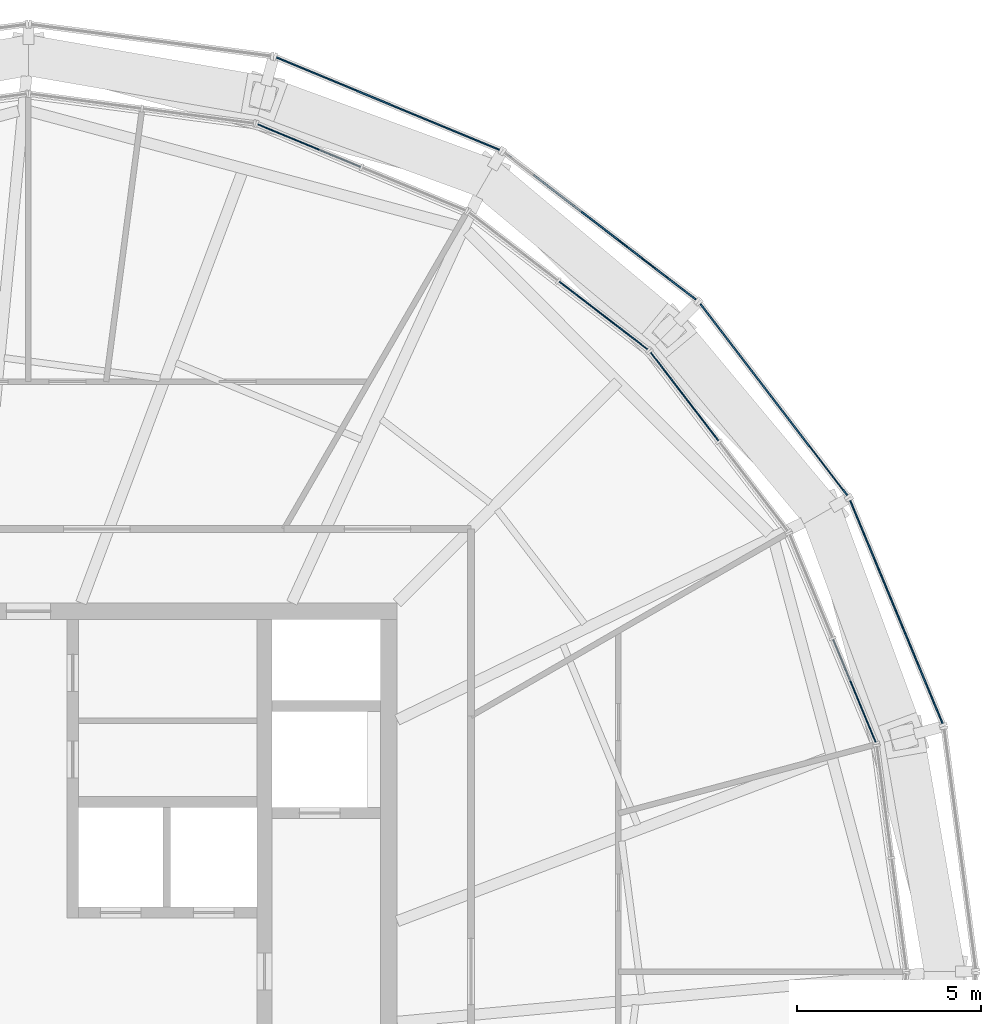
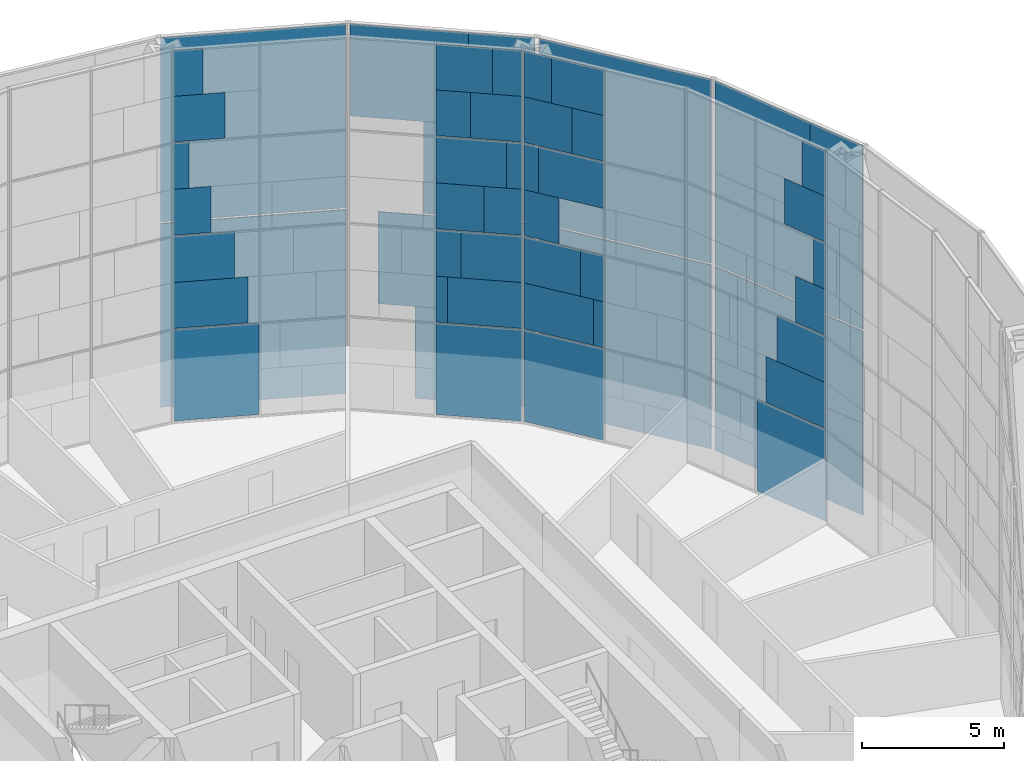
# One storey, part 24 of 28: 60 plates, 8 elements without a shape of their own.
"""IFC4 building model written with IfcOpenShell, lengths in metres."""

from ifc_helpers import new_model, si_unit, direction, frame, origin, origin_2d, place, context, subcontext, project, spatial, rectangle, extrude, material, layer, layer_set, type_object, element, aggregate, save


model = new_model("IFC4")

# Units and contexts
model_context = context("Model", 3, precision=1e-05, world=origin(), true_north=direction((0.0, 1.0)))
body_context = subcontext(model_context, "Body", "Model", "MODEL_VIEW")
ifc_project = project(units=[si_unit("LENGTHUNIT", "METRE"), si_unit("AREAUNIT", "SQUARE_METRE"), si_unit("VOLUMEUNIT", "CUBIC_METRE"), si_unit("PLANEANGLEUNIT", "RADIAN"), si_unit("MASSUNIT", "GRAM", prefix="KILO")], contexts=[model_context])

# Site, building, storey
site_placement = place(None, origin())
site = spatial("IfcSite", under=ifc_project, at=site_placement, CompositionType="ELEMENT")
building_placement = place(site_placement, origin())
building = spatial("IfcBuilding", under=site, at=building_placement, Name="Golbaran Civic Tower", CompositionType="ELEMENT")
storey_placement = place(building_placement, frame((0.0, 0.0, 183.0)))
storey = spatial("IfcBuildingStorey", under=building, at=storey_placement, Name="L44", CompositionType="ELEMENT", Elevation=183.0)

# Curtain wall, plates
ifc_material_1 = material(Name="Aluminium and glass", Category="aluminium")
curtain_wall_type_1 = type_object("IfcCurtainWallType", Name="INNER SKIN CURTAIN WALL EXECUTIVE", PredefinedType="NOTDEFINED", material=ifc_material_1)
curtain_wall_1_placement = place(storey_placement, origin())
curtain_wall_1 = element("IfcCurtainWall", 1, at=curtain_wall_1_placement, inside=storey, type_object=curtain_wall_type_1, Name="Inner skin L44 facet 2 CW2", ObjectType="INNER SKIN", PredefinedType="USERDEFINED")
ifc_material_2 = material(Name="Clear insulating glass", Category="glass")
ifc_layer_1 = layer(ifc_material_2, 0.031982421875, Name="Clear insulating glass")
ifc_layer_set_1 = layer_set([ifc_layer_1], Name="Clear insulating glass")
plate_type_1 = type_object("IfcPlateType", Name="INNER SKIN CURTAIN WALL EXECUTIVE GLAZED PANEL", PredefinedType="CURTAIN_PANEL", material=ifc_layer_set_1)
plate_1_placement = place(storey_placement, frame((22.400146484375, 7.612548828125, 0.06005859375), z_axis=(0.0, 0.0, 1.0), x_axis=(-0.382683432413, 0.923879532491, 0.0)))
plate_1 = element("IfcPlate", 2, at=plate_1_placement, type_object=plate_type_1, Name="CW2 panel 1.1", PredefinedType="CURTAIN_PANEL", context=body_context, shape_type="SweptSolid", body=[
    extrude(rectangle(XDim=3.01806640625, YDim=0.031982421875, at=origin_2d()), origin(), (0.0, 0.0, 1.0), 3.909912109375),
])
plate_2_placement = place(storey_placement, frame((22.476806640625, 7.42724609375, 4.02978515625), z_axis=(0.0, 0.0, 1.0), x_axis=(-0.382683432413, 0.923879532491, 0.0)))
plate_2 = element("IfcPlate", 3, at=plate_2_placement, type_object=plate_type_1, Name="CW2 panel 1.2 part 1", PredefinedType="CURTAIN_PANEL", context=body_context, shape_type="SweptSolid", body=[
    extrude(rectangle(XDim=2.616943359375, YDim=0.031982421875, at=origin_2d()), origin(), (0.0, 0.0, 1.0), 1.969970703125),
])
plate_3_placement = place(storey_placement, frame((22.56884765625, 7.205078125, 6.0), z_axis=(0.0, 0.0, 1.0), x_axis=(-0.382683432413, 0.923879532491, 0.0)))
plate_3 = element("IfcPlate", 4, at=plate_3_placement, type_object=plate_type_1, Name="CW2 panel 1.2 part 3", PredefinedType="CURTAIN_PANEL", context=body_context, shape_type="SweptSolid", body=[
    extrude(rectangle(XDim=2.135986328125, YDim=0.031982421875, at=origin_2d()), origin(), (0.0, 0.0, 1.0), 1.969970703125),
])
plate_4_placement = place(storey_placement, frame((22.7255859375, 6.826904296875, 8.02978515625), z_axis=(0.0, 0.0, 1.0), x_axis=(-0.382683432413, 0.923879532491, 0.0)))
plate_4 = element("IfcPlate", 5, at=plate_4_placement, type_object=plate_type_1, Name="CW2 panel 1.3 part 1", PredefinedType="CURTAIN_PANEL", context=body_context, shape_type="SweptSolid", body=[
    extrude(rectangle(XDim=1.31689453125, YDim=0.031982421875, at=origin_2d()), origin(), (0.0, 0.0, 1.0), 1.969970703125),
])
plate_5_placement = place(storey_placement, frame((22.877685546875, 6.4599609375, 10.0), z_axis=(0.0, 0.0, 1.0), x_axis=(-0.382683432413, 0.923879532491, 0.0)))
plate_5 = element("IfcPlate", 6, at=plate_5_placement, type_object=plate_type_1, Name="CW2 panel 1.3 part 3", PredefinedType="CURTAIN_PANEL", context=body_context, shape_type="SweptSolid", body=[
    extrude(rectangle(XDim=0.52294921875, YDim=0.031982421875, at=origin_2d()), origin(), (0.0, 0.0, 1.0), 1.969970703125),
])

curtain_wall_2_placement = place(storey_placement, origin())
curtain_wall_2 = element("IfcCurtainWall", 7, at=curtain_wall_2_placement, inside=storey, type_object=curtain_wall_type_1, Name="Inner skin L44 facet 3 CW2", ObjectType="INNER SKIN", PredefinedType="USERDEFINED")
plate_6_placement = place(storey_placement, frame((17.792724609375, 15.5927734375, 0.06005859375), z_axis=(0.0, 0.0, 1.0), x_axis=(-0.608761428953, 0.793353340334, 0.0)))
plate_6 = element("IfcPlate", 8, at=plate_6_placement, type_object=plate_type_1, Name="CW2 panel 2.1", PredefinedType="CURTAIN_PANEL", context=body_context, shape_type="SweptSolid", body=[
    extrude(rectangle(XDim=3.01806640625, YDim=0.031982421875, at=origin_2d()), origin(), (0.0, 0.0, 1.0), 3.909912109375),
])
plate_7_placement = place(storey_placement, frame((17.671142578125, 15.75146484375, 4.02978515625), z_axis=(0.0, 0.0, 1.0), x_axis=(-0.608761428953, 0.793353340334, 0.0)))
plate_7 = element("IfcPlate", 9, at=plate_7_placement, type_object=plate_type_1, Name="CW2 panel 2.2 part 2", PredefinedType="CURTAIN_PANEL", context=body_context, shape_type="SweptSolid", body=[
    extrude(rectangle(XDim=2.6181640625, YDim=0.031982421875, at=origin_2d()), origin(), (0.0, 0.0, 1.0), 1.969970703125),
])
plate_8_placement = place(storey_placement, frame((17.5244140625, 15.942626953125, 6.0), z_axis=(0.0, 0.0, 1.0), x_axis=(-0.608761428953, 0.793353340334, 0.0)))
plate_8 = element("IfcPlate", 10, at=plate_8_placement, type_object=plate_type_1, Name="CW2 panel 2.2 part 4", PredefinedType="CURTAIN_PANEL", context=body_context, shape_type="SweptSolid", body=[
    extrude(rectangle(XDim=2.135986328125, YDim=0.031982421875, at=origin_2d()), origin(), (0.0, 0.0, 1.0), 1.969970703125),
])
plate_9_placement = place(storey_placement, frame((17.275146484375, 16.267578125, 8.02978515625), z_axis=(0.0, 0.0, 1.0), x_axis=(-0.608761428953, 0.793353340334, 0.0)))
plate_9 = element("IfcPlate", 11, at=plate_9_placement, type_object=plate_type_1, Name="CW2 panel 2.3 part 2", PredefinedType="CURTAIN_PANEL", context=body_context, shape_type="SweptSolid", body=[
    extrude(rectangle(XDim=1.317138671875, YDim=0.031982421875, at=origin_2d()), origin(), (0.0, 0.0, 1.0), 1.969970703125),
])
plate_10_placement = place(storey_placement, frame((17.033447265625, 16.58251953125, 10.0), z_axis=(0.0, 0.0, 1.0), x_axis=(-0.608761428953, 0.793353340334, 0.0)))
plate_10 = element("IfcPlate", 12, at=plate_10_placement, type_object=plate_type_1, Name="CW2 panel 2.3 part 4", PredefinedType="CURTAIN_PANEL", context=body_context, shape_type="SweptSolid", body=[
    extrude(rectangle(XDim=0.523193359375, YDim=0.031982421875, at=origin_2d()), origin(), (0.0, 0.0, 1.0), 1.969970703125),
])
plate_11_placement = place(storey_placement, frame((18.34375, 14.874755859375, 12.030029296875), z_axis=(0.0, 0.0, 1.0), x_axis=(-0.608761428953, 0.793353340334, 0.0)))
plate_11 = element("IfcPlate", 13, at=plate_11_placement, type_object=plate_type_1, Name="CW2 panel 2.4 part 1", PredefinedType="CURTAIN_PANEL", context=body_context, shape_type="SweptSolid", body=[
    extrude(rectangle(XDim=1.2080078125, YDim=0.031982421875, at=origin_2d()), origin(), (0.0, 0.0, 1.0), 1.955078125),
])
plate_12_placement = place(storey_placement, frame((18.10400390625, 15.1875, 13.98486328125), z_axis=(0.0, 0.0, 1.0), x_axis=(-0.608761428953, 0.793353340334, 0.0)))
plate_12 = element("IfcPlate", 14, at=plate_12_placement, type_object=plate_type_1, Name="CW2 panel 2.4 part 3", PredefinedType="CURTAIN_PANEL", context=body_context, shape_type="SweptSolid", body=[
    extrude(rectangle(XDim=1.99609375, YDim=0.031982421875, at=origin_2d()), origin(), (0.0, 0.0, 1.0), 1.955078125),
])

curtain_wall_3_placement = place(storey_placement, origin())
curtain_wall_3 = element("IfcCurtainWall", 15, at=curtain_wall_3_placement, inside=storey, type_object=curtain_wall_type_1, Name="Inner skin L44 facet 4 CW2", ObjectType="INNER SKIN", PredefinedType="USERDEFINED")
plate_13_placement = place(storey_placement, frame((15.5927734375, 17.792724609375, 0.06005859375), z_axis=(0.0, 0.0, 1.0), x_axis=(-0.793353340334, 0.608761428953, 0.0)))
plate_13 = element("IfcPlate", 16, at=plate_13_placement, type_object=plate_type_1, Name="CW2 panel 1.1", PredefinedType="CURTAIN_PANEL", context=body_context, shape_type="SweptSolid", body=[
    extrude(rectangle(XDim=3.01806640625, YDim=0.031982421875, at=origin_2d()), origin(), (0.0, 0.0, 1.0), 3.909912109375),
])
plate_14_placement = place(storey_placement, frame((15.751953125, 17.670654296875, 4.02978515625), z_axis=(0.0, 0.0, 1.0), x_axis=(-0.793353340334, 0.608761428953, 0.0)))
plate_14 = element("IfcPlate", 17, at=plate_14_placement, type_object=plate_type_1, Name="CW2 panel 1.2 part 1", PredefinedType="CURTAIN_PANEL", context=body_context, shape_type="SweptSolid", body=[
    extrude(rectangle(XDim=2.616943359375, YDim=0.031982421875, at=origin_2d()), origin(), (0.0, 0.0, 1.0), 1.969970703125),
])
plate_15_placement = place(storey_placement, frame((15.942626953125, 17.5244140625, 6.0), z_axis=(0.0, 0.0, 1.0), x_axis=(-0.793353340334, 0.608761428953, 0.0)))
plate_15 = element("IfcPlate", 18, at=plate_15_placement, type_object=plate_type_1, Name="CW2 panel 1.2 part 3", PredefinedType="CURTAIN_PANEL", context=body_context, shape_type="SweptSolid", body=[
    extrude(rectangle(XDim=2.135986328125, YDim=0.031982421875, at=origin_2d()), origin(), (0.0, 0.0, 1.0), 1.969970703125),
])
plate_16_placement = place(storey_placement, frame((16.267578125, 17.27490234375, 8.02978515625), z_axis=(0.0, 0.0, 1.0), x_axis=(-0.793353340334, 0.608761428953, 0.0)))
plate_16 = element("IfcPlate", 19, at=plate_16_placement, type_object=plate_type_1, Name="CW2 panel 1.3 part 1", PredefinedType="CURTAIN_PANEL", context=body_context, shape_type="SweptSolid", body=[
    extrude(rectangle(XDim=1.31689453125, YDim=0.031982421875, at=origin_2d()), origin(), (0.0, 0.0, 1.0), 1.969970703125),
])
plate_17_placement = place(storey_placement, frame((16.58251953125, 17.033447265625, 10.0), z_axis=(0.0, 0.0, 1.0), x_axis=(-0.793353340334, 0.608761428953, 0.0)))
plate_17 = element("IfcPlate", 20, at=plate_17_placement, type_object=plate_type_1, Name="CW2 panel 1.3 part 3", PredefinedType="CURTAIN_PANEL", context=body_context, shape_type="SweptSolid", body=[
    extrude(rectangle(XDim=0.52294921875, YDim=0.031982421875, at=origin_2d()), origin(), (0.0, 0.0, 1.0), 1.969970703125),
])
plate_18_placement = place(storey_placement, frame((14.874755859375, 18.34375, 12.030029296875), z_axis=(0.0, 0.0, 1.0), x_axis=(-0.793353340334, 0.608761428953, 0.0)))
plate_18 = element("IfcPlate", 21, at=plate_18_placement, type_object=plate_type_1, Name="CW2 panel 1.4 part 2", PredefinedType="CURTAIN_PANEL", context=body_context, shape_type="SweptSolid", body=[
    extrude(rectangle(XDim=1.2080078125, YDim=0.031982421875, at=origin_2d()), origin(), (0.0, 0.0, 1.0), 1.955078125),
])
plate_19_placement = place(storey_placement, frame((15.1875, 18.103759765625, 13.98486328125), z_axis=(0.0, 0.0, 1.0), x_axis=(-0.793353340334, 0.608761428953, 0.0)))
plate_19 = element("IfcPlate", 22, at=plate_19_placement, type_object=plate_type_1, Name="CW2 panel 1.4 part 4", PredefinedType="CURTAIN_PANEL", context=body_context, shape_type="SweptSolid", body=[
    extrude(rectangle(XDim=1.99609375, YDim=0.031982421875, at=origin_2d()), origin(), (0.0, 0.0, 1.0), 1.955078125),
])

curtain_wall_4_placement = place(storey_placement, origin())
curtain_wall_4 = element("IfcCurtainWall", 23, at=curtain_wall_4_placement, inside=storey, type_object=curtain_wall_type_1, Name="Inner skin L44 facet 5 CW2", ObjectType="INNER SKIN", PredefinedType="USERDEFINED")
plate_20_placement = place(storey_placement, frame((7.612548828125, 22.400146484375, 0.06005859375), z_axis=(0.0, 0.0, 1.0), x_axis=(-0.923879532491, 0.382683432413, 0.0)))
plate_20 = element("IfcPlate", 24, at=plate_20_placement, type_object=plate_type_1, Name="CW2 panel 2.1", PredefinedType="CURTAIN_PANEL", context=body_context, shape_type="SweptSolid", body=[
    extrude(rectangle(XDim=3.01806640625, YDim=0.031982421875, at=origin_2d()), origin(), (0.0, 0.0, 1.0), 3.909912109375),
])
plate_21_placement = place(storey_placement, frame((7.427734375, 22.476806640625, 4.02978515625), z_axis=(0.0, 0.0, 1.0), x_axis=(-0.923879532491, 0.382683432413, 0.0)))
plate_21 = element("IfcPlate", 25, at=plate_21_placement, type_object=plate_type_1, Name="CW2 panel 2.2 part 2", PredefinedType="CURTAIN_PANEL", context=body_context, shape_type="SweptSolid", body=[
    extrude(rectangle(XDim=2.6181640625, YDim=0.031982421875, at=origin_2d()), origin(), (0.0, 0.0, 1.0), 1.969970703125),
])
plate_22_placement = place(storey_placement, frame((7.205078125, 22.56884765625, 6.0), z_axis=(0.0, 0.0, 1.0), x_axis=(-0.923879532491, 0.382683432413, 0.0)))
plate_22 = element("IfcPlate", 26, at=plate_22_placement, type_object=plate_type_1, Name="CW2 panel 2.2 part 4", PredefinedType="CURTAIN_PANEL", context=body_context, shape_type="SweptSolid", body=[
    extrude(rectangle(XDim=2.135986328125, YDim=0.031982421875, at=origin_2d()), origin(), (0.0, 0.0, 1.0), 1.969970703125),
])
plate_23_placement = place(storey_placement, frame((6.826904296875, 22.7255859375, 8.02978515625), z_axis=(0.0, 0.0, 1.0), x_axis=(-0.923879532491, 0.382683432413, 0.0)))
plate_23 = element("IfcPlate", 27, at=plate_23_placement, type_object=plate_type_1, Name="CW2 panel 2.3 part 2", PredefinedType="CURTAIN_PANEL", context=body_context, shape_type="SweptSolid", body=[
    extrude(rectangle(XDim=1.317138671875, YDim=0.031982421875, at=origin_2d()), origin(), (0.0, 0.0, 1.0), 1.969970703125),
])
plate_24_placement = place(storey_placement, frame((6.4599609375, 22.877685546875, 10.0), z_axis=(0.0, 0.0, 1.0), x_axis=(-0.923879532491, 0.382683432413, 0.0)))
plate_24 = element("IfcPlate", 28, at=plate_24_placement, type_object=plate_type_1, Name="CW2 panel 2.3 part 4", PredefinedType="CURTAIN_PANEL", context=body_context, shape_type="SweptSolid", body=[
    extrude(rectangle(XDim=0.523193359375, YDim=0.031982421875, at=origin_2d()), origin(), (0.0, 0.0, 1.0), 1.969970703125),
])

# Plate
ifc_material_3 = material(Name="Aluminium faced opaque infill panel", Category="aluminium")
ifc_layer_2 = layer(ifc_material_3, 0.031982421875, Name="Aluminium faced opaque infill panel")
ifc_layer_set_2 = layer_set([ifc_layer_2], Name="Aluminium faced opaque infill panel")
plate_type_2 = type_object("IfcPlateType", Name="INNER SKIN CURTAIN WALL EXECUTIVE OPAQUE INFILL PANEL", PredefinedType="CURTAIN_PANEL", material=ifc_layer_set_2)
plate_25_placement = place(storey_placement, frame((22.63134765625, 7.054443359375, 12.030029296875), z_axis=(0.0, 0.0, 1.0), x_axis=(-0.382683432413, 0.923879532491, 0.0)))
plate_25 = element("IfcPlate", 29, at=plate_25_placement, type_object=plate_type_2, Name="CW2 infill panel 1.4 part 1", PredefinedType="CURTAIN_PANEL", context=body_context, shape_type="SweptSolid", body=[
    extrude(rectangle(XDim=1.81005859375, YDim=0.031982421875, at=origin_2d()), origin(), (0.0, 0.0, 1.0), 1.955078125),
])

plate_26_placement = place(storey_placement, frame((22.7822265625, 6.6904296875, 13.98486328125), z_axis=(0.0, 0.0, 1.0), x_axis=(-0.382683432413, 0.923879532491, 0.0)))
plate_26 = element("IfcPlate", 30, at=plate_26_placement, type_object=plate_type_2, Name="CW2 infill panel 1.4 part 3", PredefinedType="CURTAIN_PANEL", context=body_context, shape_type="SweptSolid", body=[
    extrude(rectangle(XDim=1.02197265625, YDim=0.031982421875, at=origin_2d()), origin(), (0.0, 0.0, 1.0), 1.955078125),
])

aggregate(curtain_wall_1, [plate_1, plate_2, plate_3, plate_4, plate_5, plate_25, plate_26])

plate_27_placement = place(storey_placement, frame((18.589599609375, 14.55419921875, 4.02978515625), z_axis=(0.0, 0.0, 1.0), x_axis=(-0.608761428953, 0.793353340334, 0.0)))
plate_27 = element("IfcPlate", 31, at=plate_27_placement, type_object=plate_type_2, Name="CW2 infill panel 2.2 part 1", PredefinedType="CURTAIN_PANEL", context=body_context, shape_type="SweptSolid", body=[
    extrude(rectangle(XDim=0.39990234375, YDim=0.031982421875, at=origin_2d()), origin(), (0.0, 0.0, 1.0), 1.969970703125),
])

plate_28_placement = place(storey_placement, frame((18.44287109375, 14.745361328125, 6.0), z_axis=(0.0, 0.0, 1.0), x_axis=(-0.608761428953, 0.793353340334, 0.0)))
plate_28 = element("IfcPlate", 32, at=plate_28_placement, type_object=plate_type_2, Name="CW2 infill panel 2.2 part 3", PredefinedType="CURTAIN_PANEL", context=body_context, shape_type="SweptSolid", body=[
    extrude(rectangle(XDim=0.882080078125, YDim=0.031982421875, at=origin_2d()), origin(), (0.0, 0.0, 1.0), 1.969970703125),
])

plate_29_placement = place(storey_placement, frame((17.951904296875, 15.38525390625, 10.0), z_axis=(0.0, 0.0, 1.0), x_axis=(-0.608761428953, 0.793353340334, 0.0)))
plate_29 = element("IfcPlate", 33, at=plate_29_placement, type_object=plate_type_2, Name="CW2 infill panel 2.3 part 3", PredefinedType="CURTAIN_PANEL", context=body_context, shape_type="SweptSolid", body=[
    extrude(rectangle(XDim=2.4951171875, YDim=0.031982421875, at=origin_2d()), origin(), (0.0, 0.0, 1.0), 1.969970703125),
])

plate_30_placement = place(storey_placement, frame((17.425048828125, 16.072021484375, 12.030029296875), z_axis=(0.0, 0.0, 1.0), x_axis=(-0.608761428953, 0.793353340334, 0.0)))
plate_30 = element("IfcPlate", 34, at=plate_30_placement, type_object=plate_type_2, Name="CW2 infill panel 2.4 part 2", PredefinedType="CURTAIN_PANEL", context=body_context, shape_type="SweptSolid", body=[
    extrude(rectangle(XDim=1.81005859375, YDim=0.031982421875, at=origin_2d()), origin(), (0.0, 0.0, 1.0), 1.955078125),
])

plate_31_placement = place(storey_placement, frame((17.185302734375, 16.384521484375, 13.98486328125), z_axis=(0.0, 0.0, 1.0), x_axis=(-0.608761428953, 0.793353340334, 0.0)))
plate_31 = element("IfcPlate", 35, at=plate_31_placement, type_object=plate_type_2, Name="CW2 infill panel 2.4 part 4", PredefinedType="CURTAIN_PANEL", context=body_context, shape_type="SweptSolid", body=[
    extrude(rectangle(XDim=1.02197265625, YDim=0.031982421875, at=origin_2d()), origin(), (0.0, 0.0, 1.0), 1.955078125),
])

aggregate(curtain_wall_2, [plate_6, plate_27, plate_7, plate_28, plate_8, plate_9, plate_29, plate_10, plate_11, plate_30, plate_12, plate_31])

plate_32_placement = place(storey_placement, frame((14.5546875, 18.58935546875, 4.02978515625), z_axis=(0.0, 0.0, 1.0), x_axis=(-0.793353340334, 0.608761428953, 0.0)))
plate_32 = element("IfcPlate", 36, at=plate_32_placement, type_object=plate_type_2, Name="CW2 infill panel 1.2 part 2", PredefinedType="CURTAIN_PANEL", context=body_context, shape_type="SweptSolid", body=[
    extrude(rectangle(XDim=0.401123046875, YDim=0.031982421875, at=origin_2d()), origin(), (0.0, 0.0, 1.0), 1.969970703125),
])

plate_33_placement = place(storey_placement, frame((14.74560546875, 18.44287109375, 6.0), z_axis=(0.0, 0.0, 1.0), x_axis=(-0.793353340334, 0.608761428953, 0.0)))
plate_33 = element("IfcPlate", 37, at=plate_33_placement, type_object=plate_type_2, Name="CW2 infill panel 1.2 part 4", PredefinedType="CURTAIN_PANEL", context=body_context, shape_type="SweptSolid", body=[
    extrude(rectangle(XDim=0.882080078125, YDim=0.031982421875, at=origin_2d()), origin(), (0.0, 0.0, 1.0), 1.969970703125),
])

plate_34_placement = place(storey_placement, frame((15.0703125, 18.193603515625, 8.02978515625), z_axis=(0.0, 0.0, 1.0), x_axis=(-0.793353340334, 0.608761428953, 0.0)))
plate_34 = element("IfcPlate", 38, at=plate_34_placement, type_object=plate_type_2, Name="CW2 infill panel 1.3 part 2", PredefinedType="CURTAIN_PANEL", context=body_context, shape_type="SweptSolid", body=[
    extrude(rectangle(XDim=1.701171875, YDim=0.031982421875, at=origin_2d()), origin(), (0.0, 0.0, 1.0), 1.969970703125),
])

plate_35_placement = place(storey_placement, frame((15.38525390625, 17.951904296875, 10.0), z_axis=(0.0, 0.0, 1.0), x_axis=(-0.793353340334, 0.608761428953, 0.0)))
plate_35 = element("IfcPlate", 39, at=plate_35_placement, type_object=plate_type_2, Name="CW2 infill panel 1.3 part 4", PredefinedType="CURTAIN_PANEL", context=body_context, shape_type="SweptSolid", body=[
    extrude(rectangle(XDim=2.4951171875, YDim=0.031982421875, at=origin_2d()), origin(), (0.0, 0.0, 1.0), 1.969970703125),
])

plate_36_placement = place(storey_placement, frame((16.072021484375, 17.425048828125, 12.030029296875), z_axis=(0.0, 0.0, 1.0), x_axis=(-0.793353340334, 0.608761428953, 0.0)))
plate_36 = element("IfcPlate", 40, at=plate_36_placement, type_object=plate_type_2, Name="CW2 infill panel 1.4 part 1", PredefinedType="CURTAIN_PANEL", context=body_context, shape_type="SweptSolid", body=[
    extrude(rectangle(XDim=1.81005859375, YDim=0.031982421875, at=origin_2d()), origin(), (0.0, 0.0, 1.0), 1.955078125),
])

plate_37_placement = place(storey_placement, frame((16.384521484375, 17.185302734375, 13.98486328125), z_axis=(0.0, 0.0, 1.0), x_axis=(-0.793353340334, 0.608761428953, 0.0)))
plate_37 = element("IfcPlate", 41, at=plate_37_placement, type_object=plate_type_2, Name="CW2 infill panel 1.4 part 3", PredefinedType="CURTAIN_PANEL", context=body_context, shape_type="SweptSolid", body=[
    extrude(rectangle(XDim=1.02197265625, YDim=0.031982421875, at=origin_2d()), origin(), (0.0, 0.0, 1.0), 1.955078125),
])

aggregate(curtain_wall_3, [plate_13, plate_14, plate_32, plate_15, plate_33, plate_16, plate_34, plate_17, plate_35, plate_36, plate_18, plate_37, plate_19])

plate_38_placement = place(storey_placement, frame((7.0546875, 22.63134765625, 12.030029296875), z_axis=(0.0, 0.0, 1.0), x_axis=(-0.923879532491, 0.382683432413, 0.0)))
plate_38 = element("IfcPlate", 42, at=plate_38_placement, type_object=plate_type_2, Name="CW2 infill panel 2.4 part 2", PredefinedType="CURTAIN_PANEL", context=body_context, shape_type="SweptSolid", body=[
    extrude(rectangle(XDim=1.81005859375, YDim=0.031982421875, at=origin_2d()), origin(), (0.0, 0.0, 1.0), 1.955078125),
])

plate_39_placement = place(storey_placement, frame((6.690673828125, 22.781982421875, 13.98486328125), z_axis=(0.0, 0.0, 1.0), x_axis=(-0.923879532491, 0.382683432413, 0.0)))
plate_39 = element("IfcPlate", 43, at=plate_39_placement, type_object=plate_type_2, Name="CW2 infill panel 2.4 part 4", PredefinedType="CURTAIN_PANEL", context=body_context, shape_type="SweptSolid", body=[
    extrude(rectangle(XDim=1.02197265625, YDim=0.031982421875, at=origin_2d()), origin(), (0.0, 0.0, 1.0), 1.955078125),
])

aggregate(curtain_wall_4, [plate_20, plate_21, plate_22, plate_23, plate_24, plate_38, plate_39])

# Curtain wall, plates
curtain_wall_type_2 = type_object("IfcCurtainWallType", Name="OUTER SKIN TERRACOTTA SCREEN", PredefinedType="NOTDEFINED", material=ifc_material_1)
curtain_wall_5_placement = place(storey_placement, origin())
curtain_wall_5 = element("IfcCurtainWall", 44, at=curtain_wall_5_placement, inside=storey, type_object=curtain_wall_type_2, Name="Outer skin L44 facet 2 CW3", ObjectType="OUTER SKIN", PredefinedType="USERDEFINED")
ifc_material_4 = material(Name="Clear laminated glass", Category="glass")
ifc_layer_3 = layer(ifc_material_4, 0.0400390625, Name="Clear laminated glass")
ifc_layer_set_3 = layer_set([ifc_layer_3], Name="Clear laminated glass")
plate_type_3 = type_object("IfcPlateType", Name="OUTER SKIN CLEAR GLASS PANEL", PredefinedType="CURTAIN_PANEL", material=ifc_layer_set_3)
plate_40_placement = place(storey_placement, frame((23.979248046875, 8.683837890625, -0.6298828125), z_axis=(0.0, 0.0, 1.0), x_axis=(-0.382683432349, 0.923879532518, 0.0)))
plate_40 = element("IfcPlate", 45, at=plate_40_placement, type_object=plate_type_3, Name="CW3 panel 1.1 part 1", PredefinedType="CURTAIN_PANEL", context=body_context, shape_type="SweptSolid", body=[
    extrude(rectangle(XDim=4.240966796875, YDim=0.0400390625, at=origin_2d()), origin(), (0.0, 0.0, 1.0), 3.93994140625),
])
plate_41_placement = place(storey_placement, frame((24.283447265625, 7.949951171875, 3.31005859375), z_axis=(0.0, 0.0, 1.0), x_axis=(-0.382683432349, 0.923879532518, 0.0)))
plate_41 = element("IfcPlate", 46, at=plate_41_placement, type_object=plate_type_3, Name="CW3 panel 1.1 part 3", PredefinedType="CURTAIN_PANEL", context=body_context, shape_type="SweptSolid", body=[
    extrude(rectangle(XDim=2.652099609375, YDim=0.0400390625, at=origin_2d()), origin(), (0.0, 0.0, 1.0), 3.93994140625),
])
plate_42_placement = place(storey_placement, frame((22.4755859375, 12.314453125, 3.31005859375), z_axis=(0.0, 0.0, 1.0), x_axis=(-0.382683432349, 0.923879532518, 0.0)))
plate_42 = element("IfcPlate", 47, at=plate_42_placement, type_object=plate_type_3, Name="CW3 panel 1.1 part 5", PredefinedType="CURTAIN_PANEL", context=body_context, shape_type="SweptSolid", body=[
    extrude(rectangle(XDim=0.996337890625, YDim=0.0400390625, at=origin_2d()), origin(), (0.0, 0.0, 1.0), 3.93994140625),
])
plate_43_placement = place(storey_placement, frame((24.593505859375, 7.200927734375, 7.330078125), z_axis=(0.0, 0.0, 1.0), x_axis=(-0.382683432349, 0.923879532518, 0.0)))
plate_43 = element("IfcPlate", 48, at=plate_43_placement, type_object=plate_type_3, Name="CW3 panel 1.2 part 1", PredefinedType="CURTAIN_PANEL", context=body_context, shape_type="SweptSolid", body=[
    extrude(rectangle(XDim=1.031005859375, YDim=0.0400390625, at=origin_2d()), origin(), (0.0, 0.0, 1.0), 3.93994140625),
])
plate_44_placement = place(storey_placement, frame((22.78564453125, 11.565673828125, 7.330078125), z_axis=(0.0, 0.0, 1.0), x_axis=(-0.382683432349, 0.923879532518, 0.0)))
plate_44 = element("IfcPlate", 49, at=plate_44_placement, type_object=plate_type_3, Name="CW3 panel 1.2 part 3", PredefinedType="CURTAIN_PANEL", context=body_context, shape_type="SweptSolid", body=[
    extrude(rectangle(XDim=2.6171875, YDim=0.0400390625, at=origin_2d()), origin(), (0.0, 0.0, 1.0), 3.93994140625),
])
plate_45_placement = place(storey_placement, frame((23.090087890625, 10.83056640625, 11.27001953125), z_axis=(0.0, 0.0, 1.0), x_axis=(-0.382683432349, 0.923879532518, 0.0)))
plate_45 = element("IfcPlate", 50, at=plate_45_placement, type_object=plate_type_3, Name="CW3 panel 1.2 part 5", PredefinedType="CURTAIN_PANEL", context=body_context, shape_type="SweptSolid", body=[
    extrude(rectangle(XDim=4.208251953125, YDim=0.0400390625, at=origin_2d()), origin(), (0.0, 0.0, 1.0), 3.93994140625),
])

curtain_wall_6_placement = place(storey_placement, origin())
curtain_wall_6 = element("IfcCurtainWall", 51, at=curtain_wall_6_placement, inside=storey, type_object=curtain_wall_type_2, Name="Outer skin L44 facet 4 CW3", ObjectType="OUTER SKIN", PredefinedType="USERDEFINED")
plate_46_placement = place(storey_placement, frame((16.4248046875, 19.510009765625, -0.6298828125), z_axis=(0.0, 0.0, 1.0), x_axis=(-0.793353340281, 0.608761429023, 0.0)))
plate_46 = element("IfcPlate", 52, at=plate_46_placement, type_object=plate_type_3, Name="CW3 panel 1.1 part 1", PredefinedType="CURTAIN_PANEL", context=body_context, shape_type="SweptSolid", body=[
    extrude(rectangle(XDim=4.240966796875, YDim=0.0400390625, at=origin_2d()), origin(), (0.0, 0.0, 1.0), 3.93994140625),
])
plate_47_placement = place(storey_placement, frame((17.05517578125, 19.0263671875, 3.31005859375), z_axis=(0.0, 0.0, 1.0), x_axis=(-0.793353340281, 0.608761429023, 0.0)))
plate_47 = element("IfcPlate", 53, at=plate_47_placement, type_object=plate_type_3, Name="CW3 panel 1.1 part 3", PredefinedType="CURTAIN_PANEL", context=body_context, shape_type="SweptSolid", body=[
    extrude(rectangle(XDim=2.652099609375, YDim=0.0400390625, at=origin_2d()), origin(), (0.0, 0.0, 1.0), 3.93994140625),
])
plate_48_placement = place(storey_placement, frame((17.697998046875, 18.532958984375, 7.330078125), z_axis=(0.0, 0.0, 1.0), x_axis=(-0.793353340281, 0.608761429023, 0.0)))
plate_48 = element("IfcPlate", 54, at=plate_48_placement, type_object=plate_type_3, Name="CW3 panel 1.2 part 1", PredefinedType="CURTAIN_PANEL", context=body_context, shape_type="SweptSolid", body=[
    extrude(rectangle(XDim=1.031005859375, YDim=0.0400390625, at=origin_2d()), origin(), (0.0, 0.0, 1.0), 3.93994140625),
])
plate_49_placement = place(storey_placement, frame((14.581298828125, 20.924560546875, 11.27001953125), z_axis=(0.0, 0.0, 1.0), x_axis=(-0.793353340281, 0.608761429023, 0.0)))
plate_49 = element("IfcPlate", 55, at=plate_49_placement, type_object=plate_type_3, Name="CW3 panel 1.2 part 5", PredefinedType="CURTAIN_PANEL", context=body_context, shape_type="SweptSolid", body=[
    extrude(rectangle(XDim=4.208251953125, YDim=0.0400390625, at=origin_2d()), origin(), (0.0, 0.0, 1.0), 3.93994140625),
])

# Plate
ifc_material_5 = material(Name="Terracotta baguette screen", Category="masonry")
ifc_layer_4 = layer(ifc_material_5, 0.0400390625, Name="Terracotta baguette screen")
ifc_layer_set_4 = layer_set([ifc_layer_4], Name="Terracotta baguette screen")
plate_type_4 = type_object("IfcPlateType", Name="OUTER SKIN TERRACOTTA INFILL PANEL", PredefinedType="CURTAIN_PANEL", material=ifc_layer_set_4)
plate_50_placement = place(storey_placement, frame((22.726318359375, 11.708740234375, -0.6298828125), z_axis=(0.0, 0.0, 1.0), x_axis=(-0.382683432349, 0.923879532518, 0.0)))
plate_50 = element("IfcPlate", 56, at=plate_50_placement, type_object=plate_type_4, Name="CW3 infill panel 1.1 part 2", PredefinedType="CURTAIN_PANEL", context=body_context, shape_type="SweptSolid", body=[
    extrude(rectangle(XDim=2.307373046875, YDim=0.0400390625, at=origin_2d()), origin(), (0.0, 0.0, 1.0), 3.93994140625),
])

plate_51_placement = place(storey_placement, frame((23.220947265625, 10.5146484375, 3.31005859375), z_axis=(0.0, 0.0, 1.0), x_axis=(-0.382683432349, 0.923879532518, 0.0)))
plate_51 = element("IfcPlate", 57, at=plate_51_placement, type_object=plate_type_4, Name="CW3 infill panel 1.1 part 4", PredefinedType="CURTAIN_PANEL", context=body_context, shape_type="SweptSolid", body=[
    extrude(rectangle(XDim=2.89990234375, YDim=0.0400390625, at=origin_2d()), origin(), (0.0, 0.0, 1.0), 3.93994140625),
])

plate_52_placement = place(storey_placement, frame((23.84130859375, 9.016845703125, 7.330078125), z_axis=(0.0, 0.0, 1.0), x_axis=(-0.382683432349, 0.923879532518, 0.0)))
plate_52 = element("IfcPlate", 58, at=plate_52_placement, type_object=plate_type_4, Name="CW3 infill panel 1.2 part 2", PredefinedType="CURTAIN_PANEL", context=body_context, shape_type="SweptSolid", body=[
    extrude(rectangle(XDim=2.89990234375, YDim=0.0400390625, at=origin_2d()), origin(), (0.0, 0.0, 1.0), 3.93994140625),
])

plate_53_placement = place(storey_placement, frame((24.343017578125, 7.8056640625, 11.27001953125), z_axis=(0.0, 0.0, 1.0), x_axis=(-0.382683432349, 0.923879532518, 0.0)))
plate_53 = element("IfcPlate", 59, at=plate_53_placement, type_object=plate_type_4, Name="CW3 infill panel 1.2 part 4", PredefinedType="CURTAIN_PANEL", context=body_context, shape_type="SweptSolid", body=[
    extrude(rectangle(XDim=2.340087890625, YDim=0.0400390625, at=origin_2d()), origin(), (0.0, 0.0, 1.0), 3.93994140625),
])

aggregate(curtain_wall_5, [plate_40, plate_50, plate_41, plate_51, plate_42, plate_43, plate_52, plate_44, plate_53, plate_45])

plate_54_placement = place(storey_placement, frame((14.852783203125, 20.71630859375, 3.31005859375), z_axis=(0.0, 0.0, 1.0), x_axis=(-0.793353340281, 0.608761429023, 0.0)))
plate_54 = element("IfcPlate", 60, at=plate_54_placement, type_object=plate_type_4, Name="CW3 infill panel 1.1 part 4", PredefinedType="CURTAIN_PANEL", context=body_context, shape_type="SweptSolid", body=[
    extrude(rectangle(XDim=2.89990234375, YDim=0.0400390625, at=origin_2d()), origin(), (0.0, 0.0, 1.0), 3.93994140625),
])

plate_55_placement = place(storey_placement, frame((16.138671875, 19.7294921875, 7.330078125), z_axis=(0.0, 0.0, 1.0), x_axis=(-0.793353340281, 0.608761429023, 0.0)))
plate_55 = element("IfcPlate", 61, at=plate_55_placement, type_object=plate_type_4, Name="CW3 infill panel 1.2 part 2", PredefinedType="CURTAIN_PANEL", context=body_context, shape_type="SweptSolid", body=[
    extrude(rectangle(XDim=2.89990234375, YDim=0.0400390625, at=origin_2d()), origin(), (0.0, 0.0, 1.0), 3.93994140625),
])

plate_56_placement = place(storey_placement, frame((17.1787109375, 18.931396484375, 11.27001953125), z_axis=(0.0, 0.0, 1.0), x_axis=(-0.793353340281, 0.608761429023, 0.0)))
plate_56 = element("IfcPlate", 62, at=plate_56_placement, type_object=plate_type_4, Name="CW3 infill panel 1.2 part 4", PredefinedType="CURTAIN_PANEL", context=body_context, shape_type="SweptSolid", body=[
    extrude(rectangle(XDim=2.340087890625, YDim=0.0400390625, at=origin_2d()), origin(), (0.0, 0.0, 1.0), 3.93994140625),
])

aggregate(curtain_wall_6, [plate_46, plate_47, plate_54, plate_48, plate_55, plate_56, plate_49])

# Curtain wall, plates
curtain_wall_7_placement = place(storey_placement, origin())
curtain_wall_7 = element("IfcCurtainWall", 63, at=curtain_wall_7_placement, inside=storey, type_object=curtain_wall_type_2, Name="Outer skin L44 facet 3 CW3", ObjectType="OUTER SKIN", PredefinedType="USERDEFINED")
ifc_layer_5 = layer(ifc_material_5, 0.0400390625, Name="Terracotta baguette screen")
ifc_layer_set_5 = layer_set([ifc_layer_5], Name="Terracotta baguette screen")
plate_type_5 = type_object("IfcPlateType", Name="OUTER SKIN TERRACOTTA SCREEN PANEL", PredefinedType="CURTAIN_PANEL", material=ifc_layer_set_5)
plate_57_placement = place(storey_placement, frame((20.21240234375, 15.509521484375, -0.6298828125), z_axis=(0.0, 0.0, 1.0), x_axis=(-0.608761429023, 0.793353340281, 0.0)))
plate_57 = element("IfcPlate", 64, at=plate_57_placement, type_object=plate_type_5, Name="CW3 terracotta screen panel 1.1", PredefinedType="CURTAIN_PANEL", context=body_context, shape_type="SweptSolid", body=[
    extrude(rectangle(XDim=6.54833984375, YDim=0.0400390625, at=origin_2d()), origin(), (0.0, 0.0, 1.0), 7.8798828125),
])
plate_58_placement = place(storey_placement, frame((20.21240234375, 15.509521484375, 7.330078125), z_axis=(0.0, 0.0, 1.0), x_axis=(-0.608761429023, 0.793353340281, 0.0)))
plate_58 = element("IfcPlate", 65, at=plate_58_placement, type_object=plate_type_5, Name="CW3 terracotta screen panel 1.2", PredefinedType="CURTAIN_PANEL", context=body_context, shape_type="SweptSolid", body=[
    extrude(rectangle(XDim=6.54833984375, YDim=0.0400390625, at=origin_2d()), origin(), (0.0, 0.0, 1.0), 7.8798828125),
])
aggregate(curtain_wall_7, [plate_57, plate_58])

curtain_wall_8_placement = place(storey_placement, origin())
curtain_wall_8 = element("IfcCurtainWall", 66, at=curtain_wall_8_placement, inside=storey, type_object=curtain_wall_type_2, Name="Outer skin L44 facet 5 CW3", ObjectType="OUTER SKIN", PredefinedType="USERDEFINED")
plate_59_placement = place(storey_placement, frame((9.749755859375, 23.537841796875, -0.6298828125), z_axis=(0.0, 0.0, 1.0), x_axis=(-0.923879532518, 0.382683432349, 0.0)))
plate_59 = element("IfcPlate", 67, at=plate_59_placement, type_object=plate_type_5, Name="CW3 terracotta screen panel 1.1", PredefinedType="CURTAIN_PANEL", context=body_context, shape_type="SweptSolid", body=[
    extrude(rectangle(XDim=6.54833984375, YDim=0.0400390625, at=origin_2d()), origin(), (0.0, 0.0, 1.0), 7.8798828125),
])
plate_60_placement = place(storey_placement, frame((9.749755859375, 23.537841796875, 7.330078125), z_axis=(0.0, 0.0, 1.0), x_axis=(-0.923879532518, 0.382683432349, 0.0)))
plate_60 = element("IfcPlate", 68, at=plate_60_placement, type_object=plate_type_5, Name="CW3 terracotta screen panel 1.2", PredefinedType="CURTAIN_PANEL", context=body_context, shape_type="SweptSolid", body=[
    extrude(rectangle(XDim=6.54833984375, YDim=0.0400390625, at=origin_2d()), origin(), (0.0, 0.0, 1.0), 7.8798828125),
])
aggregate(curtain_wall_8, [plate_59, plate_60])

save(model, "model.ifc")
